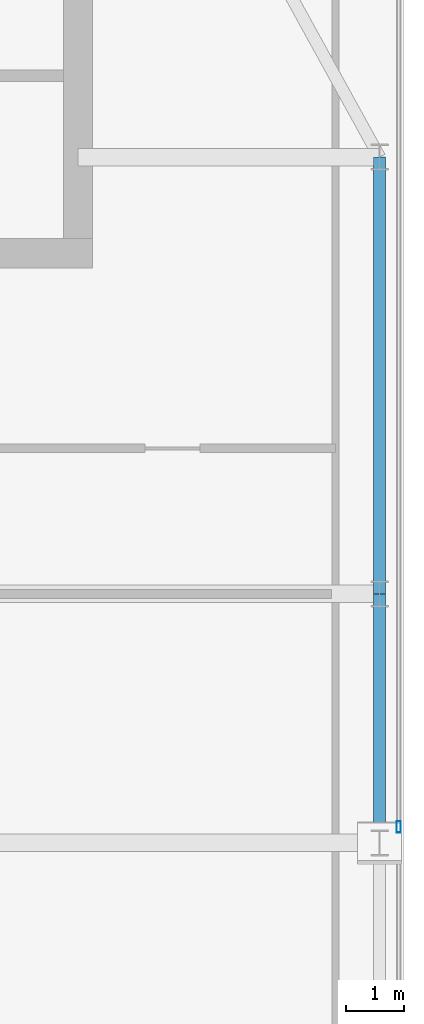
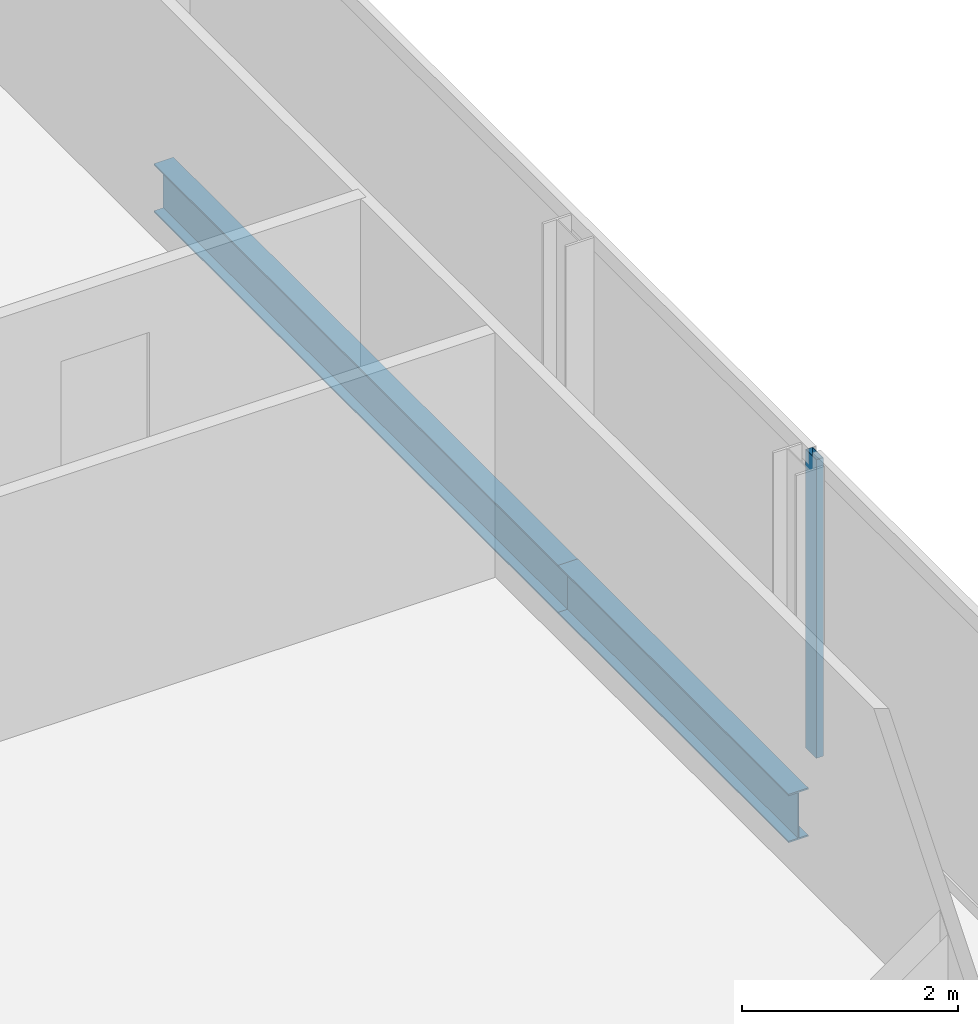
# One storey, part 14 of 24: 2 beams, 1 member, 1 element without a shape of its own.
"""IFC4 building model written with IfcOpenShell, lengths in metres."""

import ifcopenshell
import ifcopenshell.guid

model = None  # the IFC model being written
_history = None  # IfcOwnerHistory: only IFC2X3 demands one
_inside = {}  # id of a spatial element -> (the spatial element, [elements in it])
_under = {}  # id of a project, library or spatial element -> (it, [spatial elements below it])
_declared = {}  # id of a project -> (the project, [libraries it declares])
_typed = {}  # id of a type object -> (the type object, [elements of that type])
_made_of = {}  # id of a material, layer set ... -> (it, [elements and type objects made of it])


def new_model(schema):
    """Start an empty IFC model of exactly this schema.

    Asked for "IFC4X3", IfcOpenShell would pick the latest addendum, in which some entities
    have other attributes; the version numbers below select the first issue.
    IFC2X3 requires an IfcOwnerHistory on every rooted entity: one is made here for all.
    """
    global model, _history
    if schema == "IFC4X3":
        model = ifcopenshell.file(schema_version=(4, 3, 0, 0))
    else:
        model = ifcopenshell.file(schema=schema)
    _inside.clear()
    _under.clear()
    _declared.clear()
    _typed.clear()
    _made_of.clear()
    _history = None
    if model.schema == "IFC2X3":
        org = make("IfcOrganization", Name="unknown")
        user = make(
            "IfcPersonAndOrganization",
            ThePerson=make("IfcPerson", FamilyName="unknown"),
            TheOrganization=org,
        )
        app = make(
            "IfcApplication",
            ApplicationDeveloper=org,
            Version="unknown",
            ApplicationFullName="unknown",
            ApplicationIdentifier="unknown",
        )
        _history = make(
            "IfcOwnerHistory",
            OwningUser=user,
            OwningApplication=app,
            ChangeAction="ADDED",
            CreationDate=0,
        )
    return model


def make(cls, **values):
    """One entity of the class cls with the attributes given. An attribute that is None is left unset."""
    return model.create_entity(
        cls, **{name: value for name, value in values.items() if value is not None}
    )


def rooted(cls, **values):
    """An entity with a GlobalId (a new one), such as an element, a storey or a relation."""
    return make(cls, GlobalId=ifcopenshell.guid.new(), OwnerHistory=_history, **values)


def si_unit(unit_type, name, prefix=None):
    """IfcSIUnit, for example si_unit("LENGTHUNIT", "METRE", prefix="MILLI")."""
    return make("IfcSIUnit", UnitType=unit_type, Prefix=prefix, Name=name)


def assignment(units):
    """IfcUnitAssignment: the units of a project."""
    return None if units is None else make("IfcUnitAssignment", Units=units)


def point(xyz):
    """IfcCartesianPoint."""
    return None if xyz is None else make("IfcCartesianPoint", Coordinates=xyz)


def direction(xyz):
    """IfcDirection."""
    return None if xyz is None else make("IfcDirection", DirectionRatios=xyz)


def frame(location, z_axis=None, x_axis=None):
    """IfcAxis2Placement3D, a coordinate frame: its origin and axes. An axis left out is left unset."""
    return make(
        "IfcAxis2Placement3D",
        Location=point(location),
        Axis=direction(z_axis),
        RefDirection=direction(x_axis),
    )


def frame_2d(location, x_axis=None):
    """IfcAxis2Placement2D, a coordinate frame in the plane: its origin and x axis."""
    return make(
        "IfcAxis2Placement2D", Location=point(location), RefDirection=direction(x_axis)
    )


def origin():
    """The frame at (0, 0, 0) with its axes left unset."""
    return frame((0.0, 0.0, 0.0))


def origin_2d():
    """The frame at (0, 0) in the plane with its x axis left unset."""
    return frame_2d((0.0, 0.0))


def place(relative_to, where):
    """IfcLocalPlacement: puts the frame where relative to a parent placement (None: the world)."""
    return make(
        "IfcLocalPlacement", PlacementRelTo=relative_to, RelativePlacement=where
    )


def context(
    kind, dimensions, precision=None, world=None, true_north=None, identifier=None
):
    """IfcGeometricRepresentationContext, for example the 3D "Model" context."""
    return make(
        "IfcGeometricRepresentationContext",
        ContextIdentifier=identifier,
        ContextType=kind,
        CoordinateSpaceDimension=dimensions,
        Precision=precision,
        WorldCoordinateSystem=world,
        TrueNorth=true_north,
    )


def subcontext(parent, identifier, kind, view, scale=None):
    """IfcGeometricRepresentationSubContext, for example "Body" below "Model"."""
    return make(
        "IfcGeometricRepresentationSubContext",
        ContextIdentifier=identifier,
        ContextType=kind,
        ParentContext=parent,
        TargetScale=scale,
        TargetView=view,
    )


def project(units=None, contexts=None):
    """IfcProject with its units and contexts."""
    return rooted(
        "IfcProject",
        Name="project",
        RepresentationContexts=contexts,
        UnitsInContext=assignment(units),
    )


def spatial(cls, under=None, at=None, **own):
    """A site, building, storey or space (cls), placed at a placement, below another one or the project."""
    s = rooted(cls, ObjectPlacement=at, **own)
    if under is not None:
        _under.setdefault(under.id(), (under, []))[1].append(s)
    return s


def profile(cls, at=None, kind="AREA", **sizes):
    """A parametric profile (cls). Its sizes go by their IFC names, for example OverallWidth=200.0."""
    return make(cls, ProfileType=kind, Position=at, **sizes)


def hollow_rectangle(**sizes):
    """IfcRectangleHollowProfileDef."""
    return profile("IfcRectangleHollowProfileDef", **sizes)


def i_section(**sizes):
    """IfcIShapeProfileDef."""
    return profile("IfcIShapeProfileDef", **sizes)


def extrude(swept, where, along, depth):
    """IfcExtrudedAreaSolid: the profile swept, set in the frame where, extruded along a direction by depth."""
    return make(
        "IfcExtrudedAreaSolid",
        SweptArea=swept,
        Position=where,
        ExtrudedDirection=direction(along),
        Depth=depth,
    )


def shape(context_of_items, identifier, shape_type, items):
    """IfcShapeRepresentation: the items that make up one representation, for example the "Body"."""
    return make(
        "IfcShapeRepresentation",
        ContextOfItems=context_of_items,
        RepresentationIdentifier=identifier,
        RepresentationType=shape_type,
        Items=items,
    )


def material(Name=None, Category=None):
    """IfcMaterial."""
    return make("IfcMaterial", Name=Name, Category=Category)


def material_profile(
    of_material, cross_section, Name=None, Category=None, Priority=None
):
    """IfcMaterialProfile: a cross section and its material."""
    return make(
        "IfcMaterialProfile",
        Name=Name,
        Material=of_material,
        Profile=cross_section,
        Priority=Priority,
        Category=Category,
    )


def profile_set(profiles, Name=None, composite=None):
    """IfcMaterialProfileSet."""
    return make(
        "IfcMaterialProfileSet",
        Name=Name,
        MaterialProfiles=profiles,
        CompositeProfile=composite,
    )


def made_of(thing, what):
    """Note that an element or type object is made of a material, layer set ...; save() writes the relation."""
    if what is not None:
        _made_of.setdefault(what.id(), (what, []))[1].append(thing)
    return thing


def type_object(cls, material=None, **own):
    """A type object (cls), such as IfcWallType, which elements share."""
    return made_of(rooted(cls, **own), material)


def element(
    cls,
    number,
    at=None,
    inside=None,
    cuts=None,
    type_object=None,
    material=None,
    context=None,
    identifier="Body",
    shape_type=None,
    held_by="IfcProductDefinitionShape",
    body=None,
    shapes=None,
    **own,
):
    """One element of the class cls, such as IfcWall. Its Tag is "e" and its number.

    at: its placement. inside: the storey or other place that contains it. cuts: it is an
    opening in that element (IfcRelVoidsElement). A single representation is given by context,
    identifier, shape_type and body (its items); several are given by shapes. held_by: the class
    of the entity that holds the representations. save() writes the other relations.
    """
    e = rooted(cls, Tag="e%d" % number, ObjectPlacement=at, **own)
    if body is not None:
        shapes = [shape(context, identifier, shape_type, body)]
    if shapes is not None:
        e.Representation = make(held_by, Representations=shapes)
    if inside is not None:
        _inside.setdefault(inside.id(), (inside, []))[1].append(e)
    if cuts is not None:
        rooted(
            "IfcRelVoidsElement", RelatingBuildingElement=cuts, RelatedOpeningElement=e
        )
    if type_object is not None:
        _typed.setdefault(type_object.id(), (type_object, []))[1].append(e)
    return made_of(e, material)


def aggregate(whole, parts):
    """IfcRelAggregates: a whole, such as a stair, and the parts it consists of."""
    return rooted("IfcRelAggregates", RelatingObject=whole, RelatedObjects=parts)


def save(model, path):
    """Write the relations noted so far, then the file.

    IfcRelAggregates (storeys below a building ...), IfcRelContainedInSpatialStructure (elements
    in a storey), IfcRelDefinesByType, IfcRelAssociatesMaterial and IfcRelDeclares: one each for
    every whole, place, type object, material and project.
    """
    for whole, parts in _under.values():
        aggregate(whole, parts)
    for where, things in _inside.values():
        rooted(
            "IfcRelContainedInSpatialStructure",
            RelatedElements=things,
            RelatingStructure=where,
        )
    for kind, things in _typed.values():
        rooted("IfcRelDefinesByType", RelatedObjects=things, RelatingType=kind)
    for what, things in _made_of.values():
        rooted("IfcRelAssociatesMaterial", RelatedObjects=things, RelatingMaterial=what)
    for by, libraries in _declared.values():
        rooted("IfcRelDeclares", RelatingContext=by, RelatedDefinitions=libraries)
    model.write(path)


model = new_model("IFC4")

# Units and contexts
model_context = context("Model", 3, precision=1e-05, world=origin(), true_north=direction((0.0, 1.0)))
body_context = subcontext(model_context, "Body", "Model", "MODEL_VIEW")
ifc_project = project(units=[si_unit("LENGTHUNIT", "METRE"), si_unit("AREAUNIT", "SQUARE_METRE"), si_unit("VOLUMEUNIT", "CUBIC_METRE"), si_unit("PLANEANGLEUNIT", "RADIAN"), si_unit("MASSUNIT", "GRAM", prefix="KILO")], contexts=[model_context])

# Site, building, storey
site_placement = place(None, origin())
site = spatial("IfcSite", under=ifc_project, at=site_placement, CompositionType="ELEMENT")
building_placement = place(site_placement, origin())
building = spatial("IfcBuilding", under=site, at=building_placement, Name="Khoronbel Lancet Exchange", CompositionType="ELEMENT")
storey_placement = place(building_placement, frame((0.0, 0.0, 347.0)))
storey = spatial("IfcBuildingStorey", under=building, at=storey_placement, Name="L90", CompositionType="ELEMENT", Elevation=347.0)

# Beams
ifc_material_1 = material(Name="Steel S355", Category="steel")
ifc_material_profile_1 = material_profile(ifc_material_1, i_section(OverallWidth=0.2099609375, OverallDepth=0.550048828125, WebThickness=0.010986328125, FlangeThickness=0.01708984375, at=origin_2d()), Name="IPE 550")
ifc_profile_set_1 = profile_set([ifc_material_profile_1], Name="Steel S355")
beam_type = type_object("IfcBeamType", Name="BM-BSP3", PredefinedType="SPANDREL", material=ifc_profile_set_1)
beam_1_placement = place(storey_placement, frame((61.6298828125, 31.425048828125, -0.43505859375), z_axis=(0.0, 1.0, 0.0), x_axis=(-1.0, 0.0, 0.0)))
element("IfcBeam", 1, at=beam_1_placement, inside=storey, type_object=beam_type, Name="Level L90 perimeter spandrel beam SP11", PredefinedType="SPANDREL", context=body_context, shape_type="SweptSolid", body=[
    extrude(i_section(OverallWidth=0.2099609375, OverallDepth=0.550048828125, WebThickness=0.010986328125, FlangeThickness=0.01708984375, at=origin_2d()), origin(), (0.0, 0.0, 1.0), 4.27490234375),
])
beam_2_placement = place(storey_placement, frame((61.6298828125, 35.699951171875, -0.43505859375), z_axis=(0.0, 1.0, 0.0), x_axis=(-1.0, 0.0, 0.0)))
element("IfcBeam", 2, at=beam_2_placement, inside=storey, type_object=beam_type, Name="Level L90 perimeter spandrel beam SP12", PredefinedType="SPANDREL", context=body_context, shape_type="SweptSolid", body=[
    extrude(i_section(OverallWidth=0.2099609375, OverallDepth=0.550048828125, WebThickness=0.010986328125, FlangeThickness=0.01708984375, at=origin_2d()), origin(), (0.0, 0.0, 1.0), 7.5),
])

# Curtain wall, member
ifc_material_2 = material(Name="Low-E Solar Control Insulating Glass", Category="glass")
curtain_wall_type = type_object("IfcCurtainWallType", Name="CW-4", PredefinedType="NOTDEFINED", material=ifc_material_2)
curtain_wall_placement = place(storey_placement, origin())
curtain_wall = element("IfcCurtainWall", 3, at=curtain_wall_placement, inside=storey, type_object=curtain_wall_type, Name="Unitised curtain wall CW-L90-E09", PredefinedType="NOTDEFINED")
ifc_material_3 = material(Name="Bronze-Anodised Aluminium 6063-T6", Category="aluminium")
ifc_material_profile_2 = material_profile(ifc_material_3, hollow_rectangle(XDim=0.074951171875, YDim=0.199951171875, WallThickness=0.0048828125, at=origin_2d()), Name="ALU MULLION 75x200")
ifc_profile_set_2 = profile_set([ifc_material_profile_2], Name="Bronze-Anodised Aluminium 6063-T6")
member_type = type_object("IfcMemberType", Name="MEM-CWM2", PredefinedType="MULLION", material=ifc_profile_set_2)
member_placement = place(storey_placement, frame((61.9599609375, 31.699951171875, 0.0), z_axis=(0.0, 0.0, 1.0), x_axis=(1.0, 0.0, 0.0)))
member = element("IfcMember", 4, at=member_placement, type_object=member_type, Name="CW4 mullion 2", PredefinedType="MULLION", context=body_context, shape_type="SweptSolid", body=[
    extrude(hollow_rectangle(XDim=0.074951171875, YDim=0.199951171875, WallThickness=0.0048828125, at=origin_2d()), origin(), (0.0, 0.0, 1.0), 3.3798828125),
])
aggregate(curtain_wall, [member])

save(model, "model.ifc")
